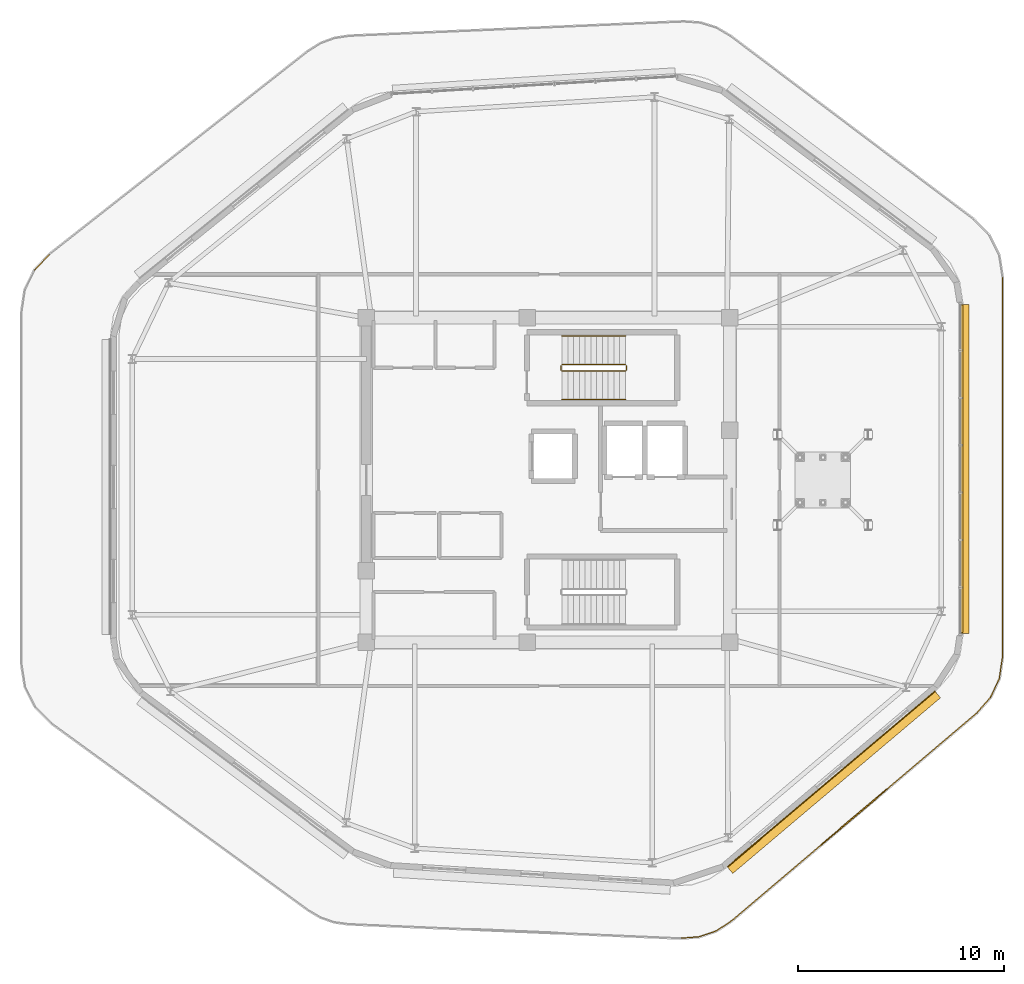
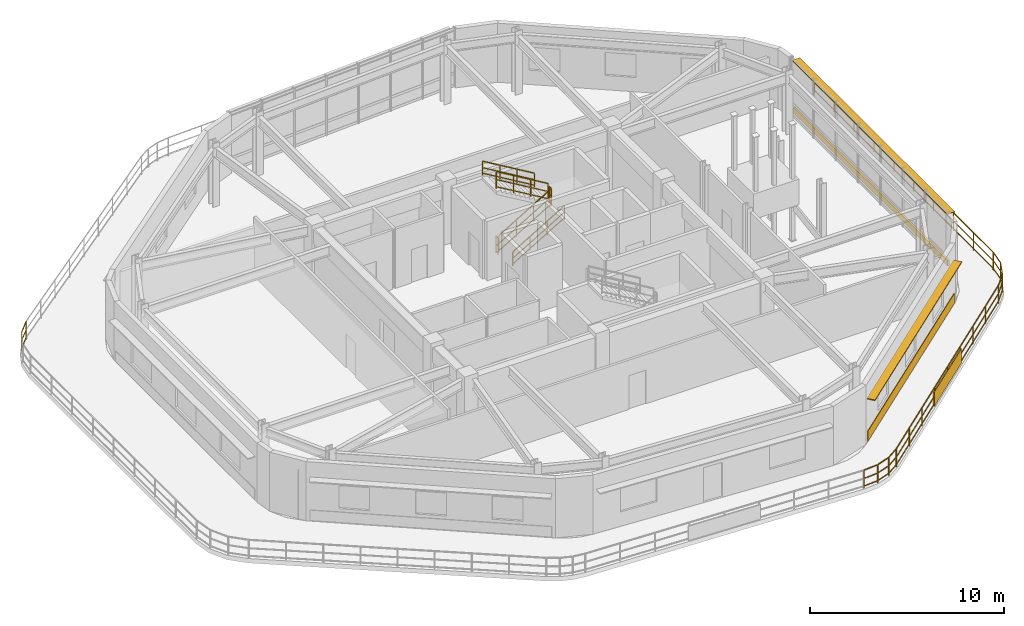
# One storey, part 12 of 13: 15 railings, 4 shading devices, 1 covering.
"""IFC4 building model written with IfcOpenShell, lengths in metres."""

from ifc_helpers import new_model, si_unit, direction, frame, origin, origin_2d, place, context, subcontext, project, spatial, rectangle, extrude, material, layer, layer_set, type_object, element, save


model = new_model("IFC4")

# Units and contexts
model_context = context("Model", 3, precision=1e-05, world=origin(), true_north=direction((0.0, 1.0)))
body_context = subcontext(model_context, "Body", "Model", "MODEL_VIEW")
ifc_project = project(units=[si_unit("LENGTHUNIT", "METRE"), si_unit("AREAUNIT", "SQUARE_METRE"), si_unit("VOLUMEUNIT", "CUBIC_METRE"), si_unit("PLANEANGLEUNIT", "RADIAN"), si_unit("MASSUNIT", "GRAM", prefix="KILO")], contexts=[model_context])

# Site, building, storey
site_placement = place(None, origin())
site = spatial("IfcSite", under=ifc_project, at=site_placement, CompositionType="ELEMENT")
building_placement = place(site_placement, origin())
building = spatial("IfcBuilding", under=site, at=building_placement, Name="Zulverin Broadcast Headquarters", CompositionType="ELEMENT")
storey_placement = place(building_placement, frame((0.0, 0.0, 313.39990234375)))
storey = spatial("IfcBuildingStorey", under=building, at=storey_placement, Name="C1", CompositionType="ELEMENT", Elevation=313.39990234375)

# Covering
ifc_material_1 = material(Name="Brushed pale-aluminium rainscreen cladding", Category="aluminium")
ifc_layer_1 = layer(ifc_material_1, 0.0400390625, Name="Brushed pale-aluminium rainscreen cladding", Category="aluminium")
ifc_layer_set_1 = layer_set([ifc_layer_1], Name="Brushed pale-aluminium rainscreen cladding")
covering_type = type_object("IfcCoveringType", Name="COV-CLAD-PALE", PredefinedType="CLADDING", material=ifc_layer_set_1)
covering_placement = place(storey_placement, frame((53.203369140625, 10.669921875, 0.05517578125), z_axis=(0.0, 0.0, 1.0), x_axis=(0.763587579629, 0.64570427305, 0.0)))
element("IfcCovering", 1, at=covering_placement, inside=storey, type_object=covering_type, Name="C1 Brushed Pale-Aluminium Spandrel Cladding 2", PredefinedType="CLADDING", context=body_context, shape_type="SweptSolid", body=[
    extrude(rectangle(XDim=13.216064453125, YDim=0.0400390625, at=origin_2d()), origin(), (0.0, 0.0, 1.0), 0.64990234375),
])

# Railings
ifc_material_2 = material(Name="Brushed stainless steel & laminated glass balustrade", Category="steel")
railing_type_1 = type_object("IfcRailingType", Name="RL-GUARD-1150", PredefinedType="GUARDRAIL", material=ifc_material_2)
railing_1_placement = place(storey_placement, frame((14.512451171875, 35.3935546875, 0.0)))
element("IfcRailing", 2, at=railing_1_placement, inside=storey, type_object=railing_type_1, Name="C1 Stepped Crown Terrace Perimeter Balustrade Segment 08", PredefinedType="GUARDRAIL", context=body_context, shape_type="SweptSolid", body=[
    extrude(rectangle(XDim=0.048095703125, YDim=0.048095703125, at=origin_2d()), frame((0.0, 0.0, 1.1259765625), z_axis=(0.68455377211, 0.728962367403, 0.0), x_axis=(-0.728962367403, 0.68455377211, 0.0)), (0.0, 0.0, 1.0), 1.033447265625),
    extrude(rectangle(XDim=0.0419921875, YDim=0.0419921875, at=origin_2d()), frame((0.0, 0.0, 0.597900390625), z_axis=(0.68455377211, 0.728962367403, 0.0), x_axis=(-0.728962367403, 0.68455377211, 0.0)), (0.0, 0.0, 1.0), 1.033447265625),
    extrude(rectangle(XDim=0.0419921875, YDim=0.0419921875, at=origin_2d()), frame((0.0, 0.0, 0.1201171875), z_axis=(0.68455377211, 0.728962367403, 0.0), x_axis=(-0.728962367403, 0.68455377211, 0.0)), (0.0, 0.0, 1.0), 1.033447265625),
    extrude(rectangle(XDim=0.0419921875, YDim=0.0419921875, at=origin_2d()), origin(), (0.0, 0.0, 1.0), 1.101806640625),
    extrude(rectangle(XDim=0.0419921875, YDim=0.0419921875, at=origin_2d()), frame((0.70751953125, 0.75341796875, 0.0)), (0.0, 0.0, 1.0), 1.101806640625),
])
railing_2_placement = place(storey_placement, frame((61.52001953125, 35.031982421875, 0.0)))
element("IfcRailing", 3, at=railing_2_placement, inside=storey, type_object=railing_type_1, Name="C1 Stepped Crown Terrace Perimeter Balustrade Segment 21", PredefinedType="GUARDRAIL", context=body_context, shape_type="SweptSolid", body=[
    extrude(rectangle(XDim=0.048095703125, YDim=0.048095703125, at=origin_2d()), frame((0.0, 0.0, 1.1259765625), z_axis=(0.0, -1.0, 0.0), x_axis=(1.0, 0.0, 0.0)), (0.0, 0.0, 1.0), 18.447509765625),
    extrude(rectangle(XDim=0.0419921875, YDim=0.0419921875, at=origin_2d()), frame((0.0, 0.0, 0.597900390625), z_axis=(0.0, -1.0, 0.0), x_axis=(1.0, 0.0, 0.0)), (0.0, 0.0, 1.0), 18.447509765625),
    extrude(rectangle(XDim=0.0419921875, YDim=0.0419921875, at=origin_2d()), frame((0.0, 0.0, 0.1201171875), z_axis=(0.0, -1.0, 0.0), x_axis=(1.0, 0.0, 0.0)), (0.0, 0.0, 1.0), 18.447509765625),
    extrude(rectangle(XDim=0.0419921875, YDim=0.0419921875, at=origin_2d()), origin(), (0.0, 0.0, 1.0), 1.101806640625),
    extrude(rectangle(XDim=0.0419921875, YDim=0.0419921875, at=origin_2d()), frame((0.0, -2.0498046875, 0.0)), (0.0, 0.0, 1.0), 1.101806640625),
    extrude(rectangle(XDim=0.0419921875, YDim=0.0419921875, at=origin_2d()), frame((0.0, -4.099365234375, 0.0)), (0.0, 0.0, 1.0), 1.101806640625),
    extrude(rectangle(XDim=0.0419921875, YDim=0.0419921875, at=origin_2d()), frame((0.0, -6.149169921875, 0.0)), (0.0, 0.0, 1.0), 1.101806640625),
    extrude(rectangle(XDim=0.0419921875, YDim=0.0419921875, at=origin_2d()), frame((0.0, -8.198974609375, 0.0)), (0.0, 0.0, 1.0), 1.101806640625),
    extrude(rectangle(XDim=0.0419921875, YDim=0.0419921875, at=origin_2d()), frame((0.0, -10.24853515625, 0.0)), (0.0, 0.0, 1.0), 1.101806640625),
    extrude(rectangle(XDim=0.0419921875, YDim=0.0419921875, at=origin_2d()), frame((0.0, -12.29833984375, 0.0)), (0.0, 0.0, 1.0), 1.101806640625),
    extrude(rectangle(XDim=0.0419921875, YDim=0.0419921875, at=origin_2d()), frame((0.0, -14.34814453125, 0.0)), (0.0, 0.0, 1.0), 1.101806640625),
    extrude(rectangle(XDim=0.0419921875, YDim=0.0419921875, at=origin_2d()), frame((0.0, -16.397705078125, 0.0)), (0.0, 0.0, 1.0), 1.101806640625),
    extrude(rectangle(XDim=0.0419921875, YDim=0.0419921875, at=origin_2d()), frame((0.0, -18.447509765625, 0.0)), (0.0, 0.0, 1.0), 1.101806640625),
])
railing_3_placement = place(storey_placement, frame((61.517822265625, 16.5546875, 0.0)))
element("IfcRailing", 4, at=railing_3_placement, inside=storey, type_object=railing_type_1, Name="C1 Stepped Crown Terrace Perimeter Balustrade Segment 22", PredefinedType="GUARDRAIL", context=body_context, shape_type="SweptSolid", body=[
    extrude(rectangle(XDim=0.048095703125, YDim=0.048095703125, at=origin_2d()), frame((0.0, 0.0, 1.1259765625), z_axis=(-0.144010095113, -0.989576218644, 0.0), x_axis=(0.989576218644, -0.144010095113, 0.0)), (0.0, 0.0, 1.0), 0.989990234375),
    extrude(rectangle(XDim=0.0419921875, YDim=0.0419921875, at=origin_2d()), frame((0.0, 0.0, 0.597900390625), z_axis=(-0.144010095113, -0.989576218644, 0.0), x_axis=(0.989576218644, -0.144010095113, 0.0)), (0.0, 0.0, 1.0), 0.989990234375),
    extrude(rectangle(XDim=0.0419921875, YDim=0.0419921875, at=origin_2d()), frame((0.0, 0.0, 0.1201171875), z_axis=(-0.144010095113, -0.989576218644, 0.0), x_axis=(0.989576218644, -0.144010095113, 0.0)), (0.0, 0.0, 1.0), 0.989990234375),
    extrude(rectangle(XDim=0.0419921875, YDim=0.0419921875, at=origin_2d()), origin(), (0.0, 0.0, 1.0), 1.101806640625),
    extrude(rectangle(XDim=0.0419921875, YDim=0.0419921875, at=origin_2d()), frame((-0.142578125, -0.979736328125, 0.0)), (0.0, 0.0, 1.0), 1.101806640625),
])
railing_4_placement = place(storey_placement, frame((61.36669921875, 15.54638671875, 0.0)))
element("IfcRailing", 5, at=railing_4_placement, inside=storey, type_object=railing_type_1, Name="C1 Stepped Crown Terrace Perimeter Balustrade Segment 23", PredefinedType="GUARDRAIL", context=body_context, shape_type="SweptSolid", body=[
    extrude(rectangle(XDim=0.048095703125, YDim=0.048095703125, at=origin_2d()), frame((0.0, 0.0, 1.1259765625), z_axis=(-0.420426150965, -0.907326761197, 0.0), x_axis=(0.907326761197, -0.420426150965, 0.0)), (0.0, 0.0, 1.0), 0.984375),
    extrude(rectangle(XDim=0.0419921875, YDim=0.0419921875, at=origin_2d()), frame((0.0, 0.0, 0.597900390625), z_axis=(-0.420426150965, -0.907326761197, 0.0), x_axis=(0.907326761197, -0.420426150965, 0.0)), (0.0, 0.0, 1.0), 0.984375),
    extrude(rectangle(XDim=0.0419921875, YDim=0.0419921875, at=origin_2d()), frame((0.0, 0.0, 0.1201171875), z_axis=(-0.420426150965, -0.907326761197, 0.0), x_axis=(0.907326761197, -0.420426150965, 0.0)), (0.0, 0.0, 1.0), 0.984375),
    extrude(rectangle(XDim=0.0419921875, YDim=0.0419921875, at=origin_2d()), origin(), (0.0, 0.0, 1.0), 1.101806640625),
    extrude(rectangle(XDim=0.0419921875, YDim=0.0419921875, at=origin_2d()), frame((-0.413818359375, -0.89306640625, 0.0)), (0.0, 0.0, 1.0), 1.101806640625),
])
railing_5_placement = place(storey_placement, frame((60.936767578125, 14.628662109375, 0.0)))
element("IfcRailing", 6, at=railing_5_placement, inside=storey, type_object=railing_type_1, Name="C1 Stepped Crown Terrace Perimeter Balustrade Segment 24", PredefinedType="GUARDRAIL", context=body_context, shape_type="SweptSolid", body=[
    extrude(rectangle(XDim=0.048095703125, YDim=0.048095703125, at=origin_2d()), frame((0.0, 0.0, 1.1259765625), z_axis=(-0.661466696107, -0.749974539529, 0.0), x_axis=(0.749974539529, -0.661466696107, 0.0)), (0.0, 0.0, 1.0), 0.990234375),
    extrude(rectangle(XDim=0.0419921875, YDim=0.0419921875, at=origin_2d()), frame((0.0, 0.0, 0.597900390625), z_axis=(-0.661466696107, -0.749974539529, 0.0), x_axis=(0.749974539529, -0.661466696107, 0.0)), (0.0, 0.0, 1.0), 0.990234375),
    extrude(rectangle(XDim=0.0419921875, YDim=0.0419921875, at=origin_2d()), frame((0.0, 0.0, 0.1201171875), z_axis=(-0.661466696107, -0.749974539529, 0.0), x_axis=(0.749974539529, -0.661466696107, 0.0)), (0.0, 0.0, 1.0), 0.990234375),
    extrude(rectangle(XDim=0.0419921875, YDim=0.0419921875, at=origin_2d()), origin(), (0.0, 0.0, 1.0), 1.101806640625),
    extrude(rectangle(XDim=0.0419921875, YDim=0.0419921875, at=origin_2d()), frame((-0.655029296875, -0.74267578125, 0.0)), (0.0, 0.0, 1.0), 1.101806640625),
])
railing_6_placement = place(storey_placement, frame((60.260498046875, 13.865234375, 0.0)))
element("IfcRailing", 7, at=railing_6_placement, inside=storey, type_object=railing_type_1, Name="C1 Stepped Crown Terrace Perimeter Balustrade Segment 25", PredefinedType="GUARDRAIL", context=body_context, shape_type="SweptSolid", body=[
    extrude(rectangle(XDim=0.048095703125, YDim=0.048095703125, at=origin_2d()), frame((0.0, 0.0, 1.1259765625), z_axis=(-0.762777620144, -0.64666088656, 0.0), x_axis=(0.64666088656, -0.762777620144, 0.0)), (0.0, 0.0, 1.0), 15.58837890625),
    extrude(rectangle(XDim=0.0419921875, YDim=0.0419921875, at=origin_2d()), frame((0.0, 0.0, 0.597900390625), z_axis=(-0.762777620144, -0.64666088656, 0.0), x_axis=(0.64666088656, -0.762777620144, 0.0)), (0.0, 0.0, 1.0), 15.58837890625),
    extrude(rectangle(XDim=0.0419921875, YDim=0.0419921875, at=origin_2d()), frame((0.0, 0.0, 0.1201171875), z_axis=(-0.762777620144, -0.64666088656, 0.0), x_axis=(0.64666088656, -0.762777620144, 0.0)), (0.0, 0.0, 1.0), 15.58837890625),
    extrude(rectangle(XDim=0.0419921875, YDim=0.0419921875, at=origin_2d()), origin(), (0.0, 0.0, 1.0), 1.101806640625),
    extrude(rectangle(XDim=0.0419921875, YDim=0.0419921875, at=origin_2d()), frame((-1.486328125, -1.260009765625, 0.0)), (0.0, 0.0, 1.0), 1.101806640625),
    extrude(rectangle(XDim=0.0419921875, YDim=0.0419921875, at=origin_2d()), frame((-2.97265625, -2.52001953125, 0.0)), (0.0, 0.0, 1.0), 1.101806640625),
    extrude(rectangle(XDim=0.0419921875, YDim=0.0419921875, at=origin_2d()), frame((-4.458984375, -3.780029296875, 0.0)), (0.0, 0.0, 1.0), 1.101806640625),
    extrude(rectangle(XDim=0.0419921875, YDim=0.0419921875, at=origin_2d()), frame((-5.9453125, -5.0400390625, 0.0)), (0.0, 0.0, 1.0), 1.101806640625),
    extrude(rectangle(XDim=0.0419921875, YDim=0.0419921875, at=origin_2d()), frame((-7.431396484375, -6.30029296875, 0.0)), (0.0, 0.0, 1.0), 1.101806640625),
    extrude(rectangle(XDim=0.0419921875, YDim=0.0419921875, at=origin_2d()), frame((-8.917724609375, -7.560302734375, 0.0)), (0.0, 0.0, 1.0), 1.101806640625),
    extrude(rectangle(XDim=0.0419921875, YDim=0.0419921875, at=origin_2d()), frame((-10.404052734375, -8.8203125, 0.0)), (0.0, 0.0, 1.0), 1.101806640625),
    extrude(rectangle(XDim=0.0419921875, YDim=0.0419921875, at=origin_2d()), frame((-11.890380859375, -10.080322265625, 0.0)), (0.0, 0.0, 1.0), 1.101806640625),
])
railing_7_placement = place(storey_placement, frame((48.345947265625, 3.76708984375, 0.0)))
element("IfcRailing", 8, at=railing_7_placement, inside=storey, type_object=railing_type_1, Name="C1 Stepped Crown Terrace Perimeter Balustrade Segment 26", PredefinedType="GUARDRAIL", context=body_context, shape_type="SweptSolid", body=[
    extrude(rectangle(XDim=0.048095703125, YDim=0.048095703125, at=origin_2d()), frame((0.0, 0.0, 1.1259765625), z_axis=(-0.836934109144, -0.547303660641, 0.0), x_axis=(0.547303660641, -0.836934109144, 0.0)), (0.0, 0.0, 1.0), 0.847900390625),
    extrude(rectangle(XDim=0.0419921875, YDim=0.0419921875, at=origin_2d()), frame((0.0, 0.0, 0.597900390625), z_axis=(-0.836934109144, -0.547303660641, 0.0), x_axis=(0.547303660641, -0.836934109144, 0.0)), (0.0, 0.0, 1.0), 0.847900390625),
    extrude(rectangle(XDim=0.0419921875, YDim=0.0419921875, at=origin_2d()), frame((0.0, 0.0, 0.1201171875), z_axis=(-0.836934109144, -0.547303660641, 0.0), x_axis=(0.547303660641, -0.836934109144, 0.0)), (0.0, 0.0, 1.0), 0.847900390625),
    extrude(rectangle(XDim=0.0419921875, YDim=0.0419921875, at=origin_2d()), origin(), (0.0, 0.0, 1.0), 1.101806640625),
    extrude(rectangle(XDim=0.0419921875, YDim=0.0419921875, at=origin_2d()), frame((-0.709716796875, -0.464111328125, 0.0)), (0.0, 0.0, 1.0), 1.101806640625),
])
railing_8_placement = place(storey_placement, frame((47.609619140625, 3.2900390625, 0.0)))
element("IfcRailing", 9, at=railing_8_placement, inside=storey, type_object=railing_type_1, Name="C1 Stepped Crown Terrace Perimeter Balustrade Segment 27", PredefinedType="GUARDRAIL", context=body_context, shape_type="SweptSolid", body=[
    extrude(rectangle(XDim=0.048095703125, YDim=0.048095703125, at=origin_2d()), frame((0.0, 0.0, 1.1259765625), z_axis=(-0.946014477294, -0.324124372349, 0.0), x_axis=(0.324124372349, -0.946014477294, 0.0)), (0.0, 0.0, 1.0), 0.8427734375),
    extrude(rectangle(XDim=0.0419921875, YDim=0.0419921875, at=origin_2d()), frame((0.0, 0.0, 0.597900390625), z_axis=(-0.946014477294, -0.324124372349, 0.0), x_axis=(0.324124372349, -0.946014477294, 0.0)), (0.0, 0.0, 1.0), 0.8427734375),
    extrude(rectangle(XDim=0.0419921875, YDim=0.0419921875, at=origin_2d()), frame((0.0, 0.0, 0.1201171875), z_axis=(-0.946014477294, -0.324124372349, 0.0), x_axis=(0.324124372349, -0.946014477294, 0.0)), (0.0, 0.0, 1.0), 0.8427734375),
    extrude(rectangle(XDim=0.0419921875, YDim=0.0419921875, at=origin_2d()), origin(), (0.0, 0.0, 1.0), 1.101806640625),
    extrude(rectangle(XDim=0.0419921875, YDim=0.0419921875, at=origin_2d()), frame((-0.79736328125, -0.273193359375, 0.0)), (0.0, 0.0, 1.0), 1.101806640625),
])
railing_9_placement = place(storey_placement, frame((46.782958984375, 3.0107421875, 0.0)))
element("IfcRailing", 10, at=railing_9_placement, inside=storey, type_object=railing_type_1, Name="C1 Stepped Crown Terrace Perimeter Balustrade Segment 28", PredefinedType="GUARDRAIL", context=body_context, shape_type="SweptSolid", body=[
    extrude(rectangle(XDim=0.048095703125, YDim=0.048095703125, at=origin_2d()), frame((0.0, 0.0, 1.1259765625), z_axis=(-0.996673645465, -0.081496284792, 0.0), x_axis=(0.081496284792, -0.996673645465, 0.0)), (0.0, 0.0, 1.0), 0.847900390625),
    extrude(rectangle(XDim=0.0419921875, YDim=0.0419921875, at=origin_2d()), frame((0.0, 0.0, 0.597900390625), z_axis=(-0.996673645465, -0.081496284792, 0.0), x_axis=(0.081496284792, -0.996673645465, 0.0)), (0.0, 0.0, 1.0), 0.847900390625),
    extrude(rectangle(XDim=0.0419921875, YDim=0.0419921875, at=origin_2d()), frame((0.0, 0.0, 0.1201171875), z_axis=(-0.996673645465, -0.081496284792, 0.0), x_axis=(0.081496284792, -0.996673645465, 0.0)), (0.0, 0.0, 1.0), 0.847900390625),
    extrude(rectangle(XDim=0.0419921875, YDim=0.0419921875, at=origin_2d()), origin(), (0.0, 0.0, 1.0), 1.101806640625),
    extrude(rectangle(XDim=0.0419921875, YDim=0.0419921875, at=origin_2d()), frame((-0.844970703125, -0.069091796875, 0.0)), (0.0, 0.0, 1.0), 1.101806640625),
])
ifc_material_3 = material(Name="Painted galvanized steel tubular guardrail S355JR", Category="steel")
railing_type_2 = type_object("IfcRailingType", Name="RL-ST-GUARD", PredefinedType="GUARDRAIL", material=ifc_material_3)
railing_10_placement = place(storey_placement, frame((40.1298828125, 30.5, 0.166748046875)))
element("IfcRailing", 11, at=railing_10_placement, inside=storey, type_object=railing_type_2, Name="C1 ST-1 stair guard 1", PredefinedType="GUARDRAIL", context=body_context, shape_type="SweptSolid", body=[
    extrude(rectangle(XDim=0.048095703125, YDim=0.048095703125, at=origin_2d()), frame((0.0, 0.0, 1.076171875), z_axis=(0.859308565015, 0.0, 0.511457515432), x_axis=(0.0, 1.0, 0.0)), (0.0, 0.0, 1.0), 3.58447265625),
    extrude(rectangle(XDim=0.0419921875, YDim=0.0419921875, at=origin_2d()), frame((0.0, 0.0, 0.572021484375), z_axis=(0.859308565015, 0.0, 0.511457515432), x_axis=(0.0, 1.0, 0.0)), (0.0, 0.0, 1.0), 3.58447265625),
    extrude(rectangle(XDim=0.0419921875, YDim=0.0419921875, at=origin_2d()), frame((0.0, 0.0, 0.1201171875), z_axis=(0.859308565015, 0.0, 0.511457515432), x_axis=(0.0, 1.0, 0.0)), (0.0, 0.0, 1.0), 3.58447265625),
    extrude(rectangle(XDim=0.0419921875, YDim=0.0419921875, at=origin_2d()), origin(), (0.0, 0.0, 1.0), 1.052001953125),
    extrude(rectangle(XDim=0.0419921875, YDim=0.0419921875, at=origin_2d()), frame((1.026611328125, 0.0, 0.611083984375)), (0.0, 0.0, 1.0), 1.052001953125),
    extrude(rectangle(XDim=0.0419921875, YDim=0.0419921875, at=origin_2d()), frame((2.053466796875, 0.0, 1.22216796875)), (0.0, 0.0, 1.0), 1.052001953125),
    extrude(rectangle(XDim=0.0419921875, YDim=0.0419921875, at=origin_2d()), frame((3.080078125, 0.0, 1.833251953125)), (0.0, 0.0, 1.0), 1.052001953125),
])
railing_11_placement = place(storey_placement, frame((43.260009765625, 30.550048828125, 2.0)))
element("IfcRailing", 12, at=railing_11_placement, inside=storey, type_object=railing_type_2, Name="C1 ST-1 stair guard 2", PredefinedType="GUARDRAIL", context=body_context, shape_type="SweptSolid", body=[
    extrude(rectangle(XDim=0.048095703125, YDim=0.048095703125, at=origin_2d()), frame((0.0, 0.0, 1.076171875), z_axis=(0.0, 1.0, 0.0), x_axis=(-1.0, 0.0, 0.0)), (0.0, 0.0, 1.0), 0.199951171875),
    extrude(rectangle(XDim=0.0419921875, YDim=0.0419921875, at=origin_2d()), frame((0.0, 0.0, 0.572021484375), z_axis=(0.0, 1.0, 0.0), x_axis=(-1.0, 0.0, 0.0)), (0.0, 0.0, 1.0), 0.199951171875),
    extrude(rectangle(XDim=0.0419921875, YDim=0.0419921875, at=origin_2d()), frame((0.0, 0.0, 0.1201171875), z_axis=(0.0, 1.0, 0.0), x_axis=(-1.0, 0.0, 0.0)), (0.0, 0.0, 1.0), 0.199951171875),
    extrude(rectangle(XDim=0.0419921875, YDim=0.0419921875, at=origin_2d()), origin(), (0.0, 0.0, 1.0), 1.052001953125),
    extrude(rectangle(XDim=0.0419921875, YDim=0.0419921875, at=origin_2d()), frame((0.0, 0.199951171875, 0.0)), (0.0, 0.0, 1.0), 1.052001953125),
])
railing_12_placement = place(storey_placement, frame((43.2099609375, 30.800048828125, 2.166748046875)))
element("IfcRailing", 13, at=railing_12_placement, inside=storey, type_object=railing_type_2, Name="C1 ST-1 stair guard 3", PredefinedType="GUARDRAIL", context=body_context, shape_type="SweptSolid", body=[
    extrude(rectangle(XDim=0.048095703125, YDim=0.048095703125, at=origin_2d()), frame((0.0, 0.0, 1.076171875), z_axis=(-0.859308565015, 0.0, 0.511457515432), x_axis=(0.0, -1.0, 0.0)), (0.0, 0.0, 1.0), 3.58447265625),
    extrude(rectangle(XDim=0.0419921875, YDim=0.0419921875, at=origin_2d()), frame((0.0, 0.0, 0.572021484375), z_axis=(-0.859308565015, 0.0, 0.511457515432), x_axis=(0.0, -1.0, 0.0)), (0.0, 0.0, 1.0), 3.58447265625),
    extrude(rectangle(XDim=0.0419921875, YDim=0.0419921875, at=origin_2d()), frame((0.0, 0.0, 0.1201171875), z_axis=(-0.859308565015, 0.0, 0.511457515432), x_axis=(0.0, -1.0, 0.0)), (0.0, 0.0, 1.0), 3.58447265625),
    extrude(rectangle(XDim=0.0419921875, YDim=0.0419921875, at=origin_2d()), origin(), (0.0, 0.0, 1.0), 1.052001953125),
    extrude(rectangle(XDim=0.0419921875, YDim=0.0419921875, at=origin_2d()), frame((-1.026611328125, 0.0, 0.611083984375)), (0.0, 0.0, 1.0), 1.052001953125),
    extrude(rectangle(XDim=0.0419921875, YDim=0.0419921875, at=origin_2d()), frame((-2.053466796875, 0.0, 1.22216796875)), (0.0, 0.0, 1.0), 1.052001953125),
    extrude(rectangle(XDim=0.0419921875, YDim=0.0419921875, at=origin_2d()), frame((-3.080078125, 0.0, 1.833251953125)), (0.0, 0.0, 1.0), 1.052001953125),
])
railing_13_placement = place(storey_placement, frame((40.080078125, 30.550048828125, 0.0)))
element("IfcRailing", 14, at=railing_13_placement, inside=storey, type_object=railing_type_2, Name="C1 ST-1 stair guard 4", PredefinedType="GUARDRAIL", context=body_context, shape_type="SweptSolid", body=[
    extrude(rectangle(XDim=0.048095703125, YDim=0.048095703125, at=origin_2d()), frame((0.0, 0.0, 1.076171875), z_axis=(0.0, 1.0, 0.0), x_axis=(-1.0, 0.0, 0.0)), (0.0, 0.0, 1.0), 0.199951171875),
    extrude(rectangle(XDim=0.0419921875, YDim=0.0419921875, at=origin_2d()), frame((0.0, 0.0, 0.572021484375), z_axis=(0.0, 1.0, 0.0), x_axis=(-1.0, 0.0, 0.0)), (0.0, 0.0, 1.0), 0.199951171875),
    extrude(rectangle(XDim=0.0419921875, YDim=0.0419921875, at=origin_2d()), frame((0.0, 0.0, 0.1201171875), z_axis=(0.0, 1.0, 0.0), x_axis=(-1.0, 0.0, 0.0)), (0.0, 0.0, 1.0), 0.199951171875),
    extrude(rectangle(XDim=0.0419921875, YDim=0.0419921875, at=origin_2d()), origin(), (0.0, 0.0, 1.0), 1.052001953125),
    extrude(rectangle(XDim=0.0419921875, YDim=0.0419921875, at=origin_2d()), frame((0.0, 0.199951171875, 0.0)), (0.0, 0.0, 1.0), 1.052001953125),
])
ifc_material_4 = material(Name="Brushed stainless steel 48 mm handrail", Category="steel")
railing_type_3 = type_object("IfcRailingType", Name="RL-ST-HAND", PredefinedType="HANDRAIL", material=ifc_material_4)
railing_14_placement = place(storey_placement, frame((40.1298828125, 29.10009765625, 0.166748046875)))
element("IfcRailing", 15, at=railing_14_placement, inside=storey, type_object=railing_type_3, Name="C1 ST-1 stair handrail 1", PredefinedType="HANDRAIL", context=body_context, shape_type="SweptSolid", body=[
    extrude(rectangle(XDim=0.048095703125, YDim=0.048095703125, at=origin_2d()), frame((0.0, 0.0, 0.8759765625), z_axis=(0.859308565015, 0.0, 0.511457515432), x_axis=(0.0, 1.0, 0.0)), (0.0, 0.0, 1.0), 3.58447265625),
    extrude(rectangle(XDim=0.0419921875, YDim=0.0419921875, at=origin_2d()), frame((0.0, 0.0, 0.468017578125), z_axis=(0.859308565015, 0.0, 0.511457515432), x_axis=(0.0, 1.0, 0.0)), (0.0, 0.0, 1.0), 3.58447265625),
    extrude(rectangle(XDim=0.0419921875, YDim=0.0419921875, at=origin_2d()), frame((0.0, 0.0, 0.1201171875), z_axis=(0.859308565015, 0.0, 0.511457515432), x_axis=(0.0, 1.0, 0.0)), (0.0, 0.0, 1.0), 3.58447265625),
    extrude(rectangle(XDim=0.0419921875, YDim=0.0419921875, at=origin_2d()), origin(), (0.0, 0.0, 1.0), 0.851806640625),
    extrude(rectangle(XDim=0.0419921875, YDim=0.0419921875, at=origin_2d()), frame((1.026611328125, 0.0, 0.611083984375)), (0.0, 0.0, 1.0), 0.851806640625),
    extrude(rectangle(XDim=0.0419921875, YDim=0.0419921875, at=origin_2d()), frame((2.053466796875, 0.0, 1.22216796875)), (0.0, 0.0, 1.0), 0.851806640625),
    extrude(rectangle(XDim=0.0419921875, YDim=0.0419921875, at=origin_2d()), frame((3.080078125, 0.0, 1.833251953125)), (0.0, 0.0, 1.0), 0.851806640625),
])
railing_15_placement = place(storey_placement, frame((43.2099609375, 32.199951171875, 2.166748046875)))
element("IfcRailing", 16, at=railing_15_placement, inside=storey, type_object=railing_type_3, Name="C1 ST-1 stair handrail 2", PredefinedType="HANDRAIL", context=body_context, shape_type="SweptSolid", body=[
    extrude(rectangle(XDim=0.048095703125, YDim=0.048095703125, at=origin_2d()), frame((0.0, 0.0, 0.8759765625), z_axis=(-0.859308565015, 0.0, 0.511457515432), x_axis=(0.0, -1.0, 0.0)), (0.0, 0.0, 1.0), 3.58447265625),
    extrude(rectangle(XDim=0.0419921875, YDim=0.0419921875, at=origin_2d()), frame((0.0, 0.0, 0.468017578125), z_axis=(-0.859308565015, 0.0, 0.511457515432), x_axis=(0.0, -1.0, 0.0)), (0.0, 0.0, 1.0), 3.58447265625),
    extrude(rectangle(XDim=0.0419921875, YDim=0.0419921875, at=origin_2d()), frame((0.0, 0.0, 0.1201171875), z_axis=(-0.859308565015, 0.0, 0.511457515432), x_axis=(0.0, -1.0, 0.0)), (0.0, 0.0, 1.0), 3.58447265625),
    extrude(rectangle(XDim=0.0419921875, YDim=0.0419921875, at=origin_2d()), origin(), (0.0, 0.0, 1.0), 0.851806640625),
    extrude(rectangle(XDim=0.0419921875, YDim=0.0419921875, at=origin_2d()), frame((-1.026611328125, 0.0, 0.611083984375)), (0.0, 0.0, 1.0), 0.851806640625),
    extrude(rectangle(XDim=0.0419921875, YDim=0.0419921875, at=origin_2d()), frame((-2.053466796875, 0.0, 1.22216796875)), (0.0, 0.0, 1.0), 0.851806640625),
    extrude(rectangle(XDim=0.0419921875, YDim=0.0419921875, at=origin_2d()), frame((-3.080078125, 0.0, 1.833251953125)), (0.0, 0.0, 1.0), 0.851806640625),
])

# Shading devices
ifc_material_5 = material(Name="Perforated pale-metal aluminium crown screen", Category="aluminium")
ifc_layer_2 = layer(ifc_material_5, 0.06005859375, Name="Perforated pale-metal aluminium crown screen", Category="aluminium")
ifc_layer_set_2 = layer_set([ifc_layer_2], Name="Perforated pale-metal aluminium crown screen")
shading_device_type_1 = type_object("IfcShadingDeviceType", Name="SHD-CRN-SCREEN", PredefinedType="USERDEFINED", material=ifc_layer_set_2)
shading_device_1_placement = place(storey_placement, frame((54.3154296875, 8.8251953125, 0.020263671875), z_axis=(0.0, 0.0, 1.0), x_axis=(0.762781204191, 0.646656658925, 0.0)))
element("IfcShadingDevice", 17, at=shading_device_1_placement, inside=storey, type_object=shading_device_type_1, Name="C1 Stepped Crown Perforated Pale-Metal Screen 2", ObjectType="SCREEN", PredefinedType="USERDEFINED", context=body_context, shape_type="SweptSolid", body=[
    extrude(rectangle(XDim=4.199951171875, YDim=0.06005859375, at=origin_2d()), origin(), (0.0, 0.0, 1.0), 0.89990234375),
])
ifc_material_6 = material(Name="Anodized pale-metal aluminium acoustic louvre", Category="aluminium")
shading_device_type_2 = type_object("IfcShadingDeviceType", Name="SHD-LOUVRE-350", PredefinedType="USERDEFINED", material=ifc_material_6)
shading_device_2_placement = place(storey_placement, frame((59.56005859375, 25.73388671875, 0.22509765625), z_axis=(0.0, 0.0, 1.0), x_axis=(0.0, 1.0, 0.0)))
element("IfcShadingDevice", 18, at=shading_device_2_placement, inside=storey, type_object=shading_device_type_2, Name="C1 Pale-Metal Acoustic Louvre Screen CW-C1-E3", ObjectType="LOUVRE", PredefinedType="USERDEFINED", context=body_context, shape_type="SweptSolid", body=[
    extrude(rectangle(XDim=15.90869140625, YDim=0.1201171875, at=origin_2d()), origin(), (0.0, 0.0, 1.0), 0.35009765625),
])
ifc_material_7 = material(Name="Anodized pale-metal aluminium sunshade", Category="aluminium")
ifc_layer_3 = layer(ifc_material_7, 0.06005859375, Name="Anodized pale-metal aluminium sunshade", Category="aluminium")
ifc_layer_set_3 = layer_set([ifc_layer_3], Name="Anodized pale-metal aluminium sunshade")
shading_device_type_3 = type_object("IfcShadingDeviceType", Name="SS-01_PALE_METAL_ALUMINIUM_SUNSHADE", PredefinedType="USERDEFINED", material=ifc_layer_set_3)
shading_device_3_placement = place(storey_placement, frame((53.325927734375, 10.524658203125, 2.7099609375), z_axis=(0.0, 0.0, 1.0), x_axis=(0.763587579629, 0.64570427305, 0.0)))
element("IfcShadingDevice", 19, at=shading_device_3_placement, inside=storey, type_object=shading_device_type_3, Name="C1 Horizontal Pale-Metal Sunshade Band 2", ObjectType="SUNSHADE", PredefinedType="USERDEFINED", context=body_context, shape_type="SweptSolid", body=[
    extrude(rectangle(XDim=13.216064453125, YDim=0.449951171875, at=origin_2d()), origin(), (0.0, 0.0, 1.0), 0.06005859375),
])
shading_device_4_placement = place(storey_placement, frame((59.679931640625, 25.73388671875, 3.489990234375), z_axis=(0.0, 0.0, 1.0), x_axis=(0.0, 1.0, 0.0)))
element("IfcShadingDevice", 20, at=shading_device_4_placement, inside=storey, type_object=shading_device_type_3, Name="C1 Pale-Metal Horizontal Sunshade Band CW-C1-E3", ObjectType="SUNSHADE", PredefinedType="USERDEFINED", context=body_context, shape_type="SweptSolid", body=[
    extrude(rectangle(XDim=15.98876953125, YDim=0.449951171875, at=origin_2d()), origin(), (0.0, 0.0, 1.0), 0.06005859375),
])

save(model, "model.ifc")
